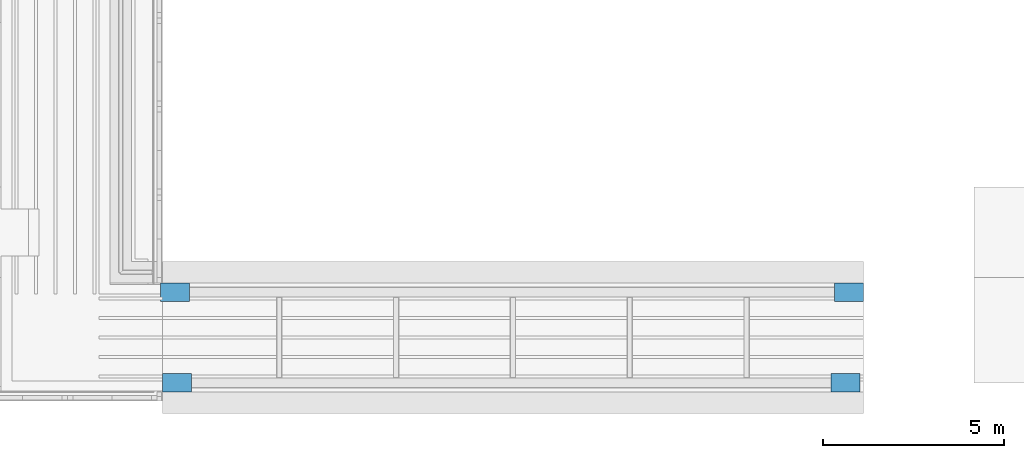
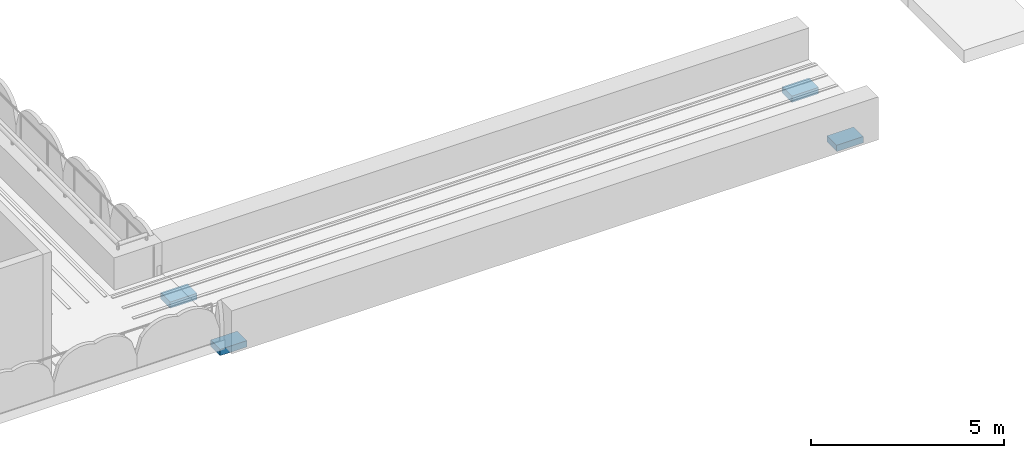
# One storey, part 17 of 22: 4 discrete accessories.
"""IFC4 building model written with IfcOpenShell, lengths in metres."""

from ifc_helpers import new_model, si_unit, direction, frame, origin, origin_2d, place, context, subcontext, project, spatial, rectangle, extrude, material, type_object, element, save


model = new_model("IFC4")

# Units and contexts
model_context = context("Model", 3, precision=1e-05, world=origin(), true_north=direction((0.0, 1.0)))
body_context = subcontext(model_context, "Body", "Model", "MODEL_VIEW")
ifc_project = project(units=[si_unit("LENGTHUNIT", "METRE"), si_unit("AREAUNIT", "SQUARE_METRE"), si_unit("VOLUMEUNIT", "CUBIC_METRE"), si_unit("PLANEANGLEUNIT", "RADIAN"), si_unit("MASSUNIT", "GRAM", prefix="KILO")], contexts=[model_context])

# Site, building, storey
site_placement = place(None, origin())
site = spatial("IfcSite", under=ifc_project, at=site_placement, CompositionType="ELEMENT")
building_placement = place(site_placement, origin())
building = spatial("IfcBuilding", under=site, at=building_placement, Name="Elbe Cascade School", CompositionType="ELEMENT")
storey_placement = place(building_placement, frame((0.0, 0.0, 18.89990234375)))
storey = spatial("IfcBuildingStorey", under=building, at=storey_placement, Name="R05", CompositionType="ELEMENT", Elevation=18.89990234375)

# Discrete accessories
ifc_material = material(Name="Steel S355J2, hot-dip galvanised", Category="steel")
discrete_accessory_type = type_object("IfcDiscreteAccessoryType", Name="Bridge bearing block 800x500x200", PredefinedType="BRACKET", material=ifc_material)
for number, where, z_axis, x_axis, name in (
    (1, (86.75, 6.25, -0.65966796875), (0.0, 0.0, 1.0), (1.0, 0.0, 0.0), "Bridge A-B bearing block 1 west"),
    (2, (105.199951171875, 6.25, -0.65966796875), (0.0, 0.0, 1.0), (1.0, 0.0, 0.0), "Bridge A-B bearing block 1 east"),
    (3, (86.699951171875, 8.75, -0.65966796875), (0.0, 0.0, 1.0), (1.0, 0.0, 0.0), "Bridge A-B bearing block 2 west"),
    (4, (105.300048828125, 8.75, -0.65966796875), (0.0, 0.0, 1.0), (1.0, 0.0, 0.0), "Bridge A-B bearing block 2 east"),
):
    element("IfcDiscreteAccessory", number, at=place(storey_placement, frame(where, z_axis=z_axis, x_axis=x_axis)), inside=storey, type_object=discrete_accessory_type, Name=name, PredefinedType="BRACKET", context=body_context, shape_type="SweptSolid", body=[
        extrude(rectangle(XDim=0.800048828125, YDim=0.5, at=origin_2d()), origin(), (0.0, 0.0, 1.0), 0.199951171875),
    ])

save(model, "model.ifc")
